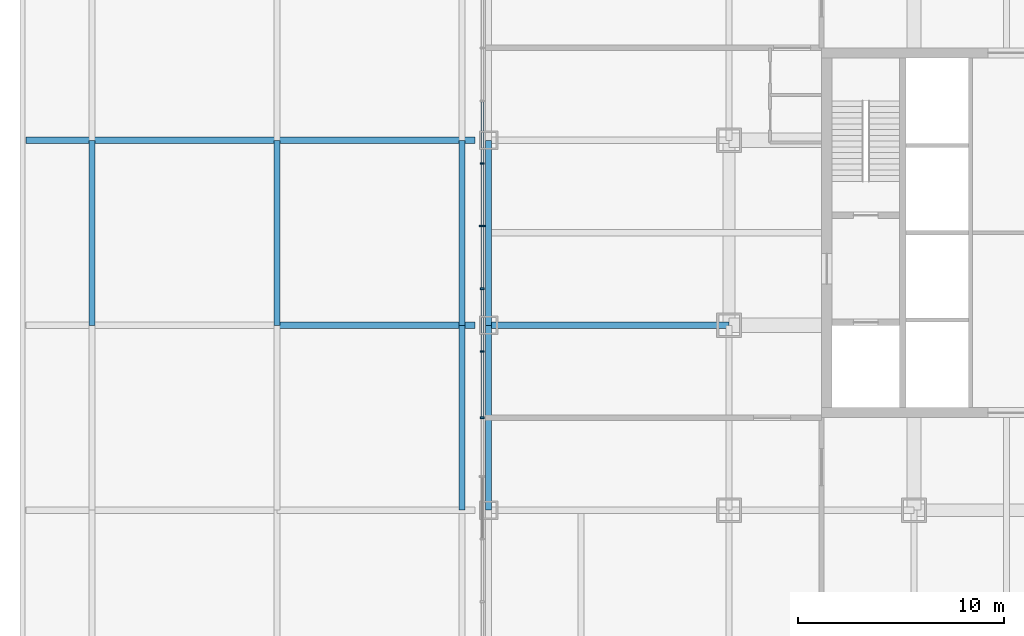
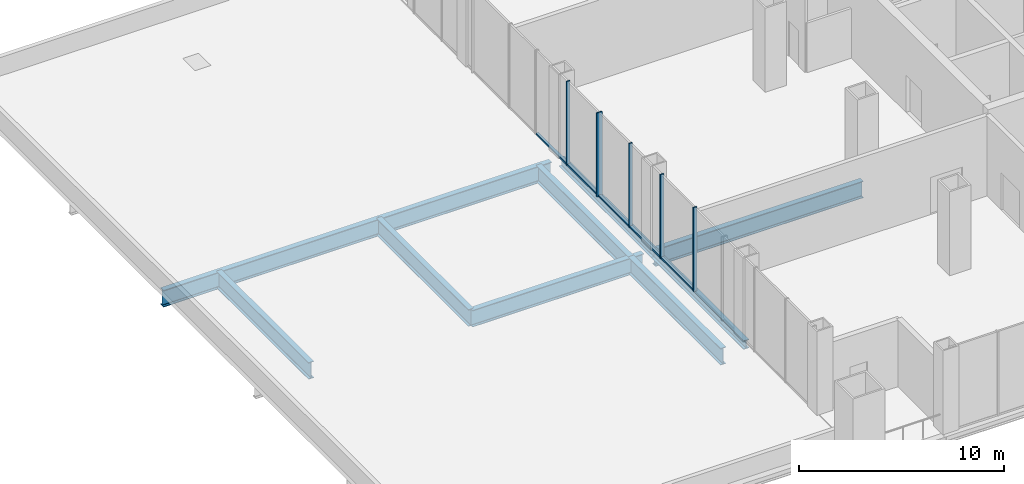
# One storey, part 3 of 16: 10 beams, 10 members, 1 element without a shape of its own.
"""IFC4 building model written with IfcOpenShell, lengths in metres."""

from ifc_helpers import new_model, si_unit, direction, frame, origin, origin_2d, place, context, subcontext, project, spatial, rectangle, i_section, extrude, material, layer, layer_set, material_profile, profile_set, type_object, element, aggregate, save


model = new_model("IFC4")

# Units and contexts
model_context = context("Model", 3, precision=1e-05, world=origin(), true_north=direction((0.0, 1.0)))
body_context = subcontext(model_context, "Body", "Model", "MODEL_VIEW")
ifc_project = project(units=[si_unit("LENGTHUNIT", "METRE"), si_unit("AREAUNIT", "SQUARE_METRE"), si_unit("VOLUMEUNIT", "CUBIC_METRE"), si_unit("PLANEANGLEUNIT", "RADIAN"), si_unit("MASSUNIT", "GRAM", prefix="KILO")], contexts=[model_context])

# Site, building, storey
site_placement = place(None, origin())
site = spatial("IfcSite", under=ifc_project, at=site_placement, CompositionType="ELEMENT")
building_placement = place(site_placement, origin())
building = spatial("IfcBuilding", under=site, at=building_placement, Name="Malebo Sky Hospital", CompositionType="ELEMENT")
storey_placement = place(building_placement, frame((0.0, 0.0, 26.0)))
storey = spatial("IfcBuildingStorey", under=building, at=storey_placement, Name="L05", CompositionType="ELEMENT", Elevation=26.0)

# Curtain wall, members
ifc_material_1 = material(Name="Anodised aluminium, natural silver", Category="aluminium")
ifc_layer = layer(ifc_material_1, 0.25)
ifc_layer_set = layer_set([ifc_layer], Name="PLANT LOUVRE SCREEN")
curtain_wall_type = type_object("IfcCurtainWallType", Name="PLANT LOUVRE SCREEN", PredefinedType="NOTDEFINED", material=ifc_layer_set)
curtain_wall_placement = place(storey_placement, origin())
curtain_wall = element("IfcCurtainWall", 1, at=curtain_wall_placement, inside=storey, type_object=curtain_wall_type, Name="PLANT curtain wall W", PredefinedType="NOTDEFINED")
ifc_material_profile_1 = material_profile(ifc_material_1, rectangle(XDim=0.14990234375, YDim=0.10009765625, at=origin_2d()), Name="ALUMINIUM TRANSOM 150x100")
ifc_profile_set_1 = profile_set([ifc_material_profile_1], Name="Anodised aluminium, natural silver")
member_type_1 = type_object("IfcMemberType", Name="ALUMINIUM TRANSOM 150x100", PredefinedType="USERDEFINED", material=ifc_profile_set_1)
member_1_placement = place(storey_placement, frame((34.5, 53.03759765625, 0.050048828125), z_axis=(0.0, 1.0, 0.0), x_axis=(-1.0, 0.0, 0.0)))
member_1 = element("IfcMember", 2, at=member_1_placement, type_object=member_type_1, Name="Transom 5", ObjectType="TRANSOM", PredefinedType="USERDEFINED", context=body_context, shape_type="SweptSolid", body=[
    extrude(rectangle(XDim=0.14990234375, YDim=0.10009765625, at=origin_2d()), origin(), (0.0, 0.0, 1.0), 3.15576171875),
])
member_2_placement = place(storey_placement, frame((34.5, 56.268310546875, 0.050048828125), z_axis=(0.0, 1.0, 0.0), x_axis=(-1.0, 0.0, 0.0)))
member_2 = element("IfcMember", 3, at=member_2_placement, type_object=member_type_1, Name="Transom 6", ObjectType="TRANSOM", PredefinedType="USERDEFINED", context=body_context, shape_type="SweptSolid", body=[
    extrude(rectangle(XDim=0.14990234375, YDim=0.10009765625, at=origin_2d()), origin(), (0.0, 0.0, 1.0), 2.97119140625),
])
member_3_placement = place(storey_placement, frame((34.5, 59.314453125, 0.050048828125), z_axis=(0.0, 1.0, 0.0), x_axis=(-1.0, 0.0, 0.0)))
member_3 = element("IfcMember", 4, at=member_3_placement, type_object=member_type_1, Name="Transom 7", ObjectType="TRANSOM", PredefinedType="USERDEFINED", context=body_context, shape_type="SweptSolid", body=[
    extrude(rectangle(XDim=0.14990234375, YDim=0.10009765625, at=origin_2d()), origin(), (0.0, 0.0, 1.0), 2.97119140625),
])
member_4_placement = place(storey_placement, frame((34.5, 62.360595703125, 0.050048828125), z_axis=(0.0, 1.0, 0.0), x_axis=(-1.0, 0.0, 0.0)))
member_4 = element("IfcMember", 5, at=member_4_placement, type_object=member_type_1, Name="Transom 8", ObjectType="TRANSOM", PredefinedType="USERDEFINED", context=body_context, shape_type="SweptSolid", body=[
    extrude(rectangle(XDim=0.14990234375, YDim=0.10009765625, at=origin_2d()), origin(), (0.0, 0.0, 1.0), 2.97119140625),
])
member_5_placement = place(storey_placement, frame((34.5, 65.40673828125, 0.050048828125), z_axis=(0.0, 1.0, 0.0), x_axis=(-1.0, 0.0, 0.0)))
member_5 = element("IfcMember", 6, at=member_5_placement, type_object=member_type_1, Name="Transom 9", ObjectType="TRANSOM", PredefinedType="USERDEFINED", context=body_context, shape_type="SweptSolid", body=[
    extrude(rectangle(XDim=0.14990234375, YDim=0.10009765625, at=origin_2d()), origin(), (0.0, 0.0, 1.0), 2.97119140625),
])
ifc_material_profile_2 = material_profile(ifc_material_1, rectangle(XDim=0.074951171875, YDim=0.199951171875, at=origin_2d()), Name="CW5 ALUMINIUM FIN MULLION 75x200")
ifc_profile_set_2 = profile_set([ifc_material_profile_2], Name="Anodised aluminium, natural silver")
member_type_2 = type_object("IfcMemberType", Name="CW5 ALUMINIUM FIN MULLION 75x200", PredefinedType="MULLION", material=ifc_profile_set_2)
member_6_placement = place(storey_placement, frame((34.5, 53.0, 0.0), z_axis=(0.0, 0.0, 1.0), x_axis=(0.0, 1.0, 0.0)))
member_6 = element("IfcMember", 7, at=member_6_placement, type_object=member_type_2, Name="Fin mullion 5", PredefinedType="MULLION", context=body_context, shape_type="SweptSolid", body=[
    extrude(rectangle(XDim=0.074951171875, YDim=0.199951171875, at=origin_2d()), origin(), (0.0, 0.0, 1.0), 5.0),
])
member_7_placement = place(storey_placement, frame((34.5, 56.230712890625, 0.0), z_axis=(0.0, 0.0, 1.0), x_axis=(0.0, 1.0, 0.0)))
member_7 = element("IfcMember", 8, at=member_7_placement, type_object=member_type_2, Name="Fin mullion 6", PredefinedType="MULLION", context=body_context, shape_type="SweptSolid", body=[
    extrude(rectangle(XDim=0.074951171875, YDim=0.199951171875, at=origin_2d()), origin(), (0.0, 0.0, 1.0), 5.0),
])
member_8_placement = place(storey_placement, frame((34.5, 59.27685546875, 0.0), z_axis=(0.0, 0.0, 1.0), x_axis=(0.0, 1.0, 0.0)))
member_8 = element("IfcMember", 9, at=member_8_placement, type_object=member_type_2, Name="Fin mullion 7", PredefinedType="MULLION", context=body_context, shape_type="SweptSolid", body=[
    extrude(rectangle(XDim=0.074951171875, YDim=0.199951171875, at=origin_2d()), origin(), (0.0, 0.0, 1.0), 5.0),
])
member_9_placement = place(storey_placement, frame((34.5, 65.369140625, 0.0), z_axis=(0.0, 0.0, 1.0), x_axis=(0.0, 1.0, 0.0)))
member_9 = element("IfcMember", 10, at=member_9_placement, type_object=member_type_2, Name="Fin mullion 9", PredefinedType="MULLION", context=body_context, shape_type="SweptSolid", body=[
    extrude(rectangle(XDim=0.074951171875, YDim=0.199951171875, at=origin_2d()), origin(), (0.0, 0.0, 1.0), 5.0),
])
ifc_material_profile_3 = material_profile(ifc_material_1, rectangle(XDim=0.074951171875, YDim=0.300048828125, at=origin_2d()), Name="CW5 ALUMINIUM FIN MULLION 75x300")
ifc_profile_set_3 = profile_set([ifc_material_profile_3], Name="Anodised aluminium, natural silver")
member_type_3 = type_object("IfcMemberType", Name="CW5 ALUMINIUM FIN MULLION 75x300", PredefinedType="MULLION", material=ifc_profile_set_3)
member_10_placement = place(storey_placement, frame((34.5, 62.322998046875, 0.0), z_axis=(0.0, 0.0, 1.0), x_axis=(0.0, 1.0, 0.0)))
member_10 = element("IfcMember", 11, at=member_10_placement, type_object=member_type_3, Name="Fin mullion 8", PredefinedType="MULLION", context=body_context, shape_type="SweptSolid", body=[
    extrude(rectangle(XDim=0.074951171875, YDim=0.300048828125, at=origin_2d()), origin(), (0.0, 0.0, 1.0), 5.0),
])
aggregate(curtain_wall, [member_6, member_7, member_8, member_10, member_9, member_1, member_2, member_3, member_4, member_5])

# Beams
ifc_material_2 = material(Name="Steel S355", Category="steel")
ifc_material_profile_4 = material_profile(ifc_material_2, i_section(OverallWidth=0.305908203125, OverallDepth=0.52392578125, WebThickness=0.02099609375, FlangeThickness=0.0400390625, FilletRadius=0.027099609375, at=origin_2d()), Name="HEM 500")
ifc_profile_set_4 = profile_set([ifc_material_profile_4], Name="Steel S355")
beam_type_1 = type_object("IfcBeamType", Name="EDGE BEAM HEM 500", PredefinedType="BEAM", material=ifc_profile_set_4)
for number, where, z_axis, x_axis, name in (
    (12, (34.800048828125, 48.5, -0.56201171875), (0.0, 1.0, 0.0), (-1.0, 0.0, 0.0), "Beam 001 L05"),
    (13, (34.800048828125, 57.5, -0.56201171875), (0.0, 1.0, 0.0), (-1.0, 0.0, 0.0), "Beam 002 L05"),
):
    element("IfcBeam", number, at=place(storey_placement, frame(where, z_axis=z_axis, x_axis=x_axis)), inside=storey, type_object=beam_type_1, Name=name, PredefinedType="BEAM", context=body_context, shape_type="SweptSolid", body=[
        extrude(i_section(OverallWidth=0.305908203125, OverallDepth=0.52392578125, WebThickness=0.02099609375, FlangeThickness=0.0400390625, FilletRadius=0.027099609375, at=origin_2d()), origin(), (0.0, 0.0, 1.0), 9.0),
    ])
ifc_material_profile_5 = material_profile(ifc_material_2, i_section(OverallWidth=0.300048828125, OverallDepth=1.0, WebThickness=0.01904296875, FlangeThickness=0.035888671875, FilletRadius=0.030029296875, at=origin_2d()), Name="HEB 1000")
ifc_profile_set_5 = profile_set([ifc_material_profile_5], Name="Steel S355")
beam_type_2 = type_object("IfcBeamType", Name="FLOOR BEAM HEB 1000", PredefinedType="BEAM", material=ifc_profile_set_5)
beam_1_placement = place(storey_placement, frame((34.800048828125, 57.5, -0.800048828125), z_axis=(1.0, 0.0, 0.0), x_axis=(0.0, 1.0, 0.0)))
element("IfcBeam", 14, at=beam_1_placement, inside=storey, type_object=beam_type_2, Name="Beam 046 L05", PredefinedType="BEAM", context=body_context, shape_type="SweptSolid", body=[
    extrude(i_section(OverallWidth=0.300048828125, OverallDepth=1.0, WebThickness=0.01904296875, FlangeThickness=0.035888671875, FilletRadius=0.030029296875, at=origin_2d()), origin(), (0.0, 0.0, 1.0), 11.699951171875),
])
for number, where, z_axis, x_axis, name in (
    (15, (15.5, 57.5, -0.800048828125), (0.0, 1.0, 0.0), (-1.0, 0.0, 0.0), "Beam W003 L05"),
    (16, (24.5, 57.5, -0.800048828125), (0.0, 1.0, 0.0), (-1.0, 0.0, 0.0), "Beam W008 L05"),
    (17, (33.5, 48.5, -0.800048828125), (0.0, 1.0, 0.0), (-1.0, 0.0, 0.0), "Beam W012 L05"),
    (18, (33.5, 57.5, -0.800048828125), (0.0, 1.0, 0.0), (-1.0, 0.0, 0.0), "Beam W013 L05"),
):
    element("IfcBeam", number, at=place(storey_placement, frame(where, z_axis=z_axis, x_axis=x_axis)), inside=storey, type_object=beam_type_2, Name=name, PredefinedType="BEAM", context=body_context, shape_type="SweptSolid", body=[
        extrude(i_section(OverallWidth=0.300048828125, OverallDepth=1.0, WebThickness=0.01904296875, FlangeThickness=0.035888671875, FilletRadius=0.030029296875, at=origin_2d()), origin(), (0.0, 0.0, 1.0), 9.0),
    ])
beam_2_placement = place(storey_placement, frame((24.5, 57.5, -0.800048828125), z_axis=(1.0, 0.0, 0.0), x_axis=(0.0, 1.0, 0.0)))
element("IfcBeam", 19, at=beam_2_placement, inside=storey, type_object=beam_type_2, Name="Beam W021 L05", PredefinedType="BEAM", context=body_context, shape_type="SweptSolid", body=[
    extrude(i_section(OverallWidth=0.300048828125, OverallDepth=1.0, WebThickness=0.01904296875, FlangeThickness=0.035888671875, FilletRadius=0.030029296875, at=origin_2d()), origin(), (0.0, 0.0, 1.0), 9.64990234375),
])
beam_3_placement = place(storey_placement, frame((12.300048828125, 66.5, -0.800048828125), z_axis=(1.0, 0.0, 0.0), x_axis=(0.0, 1.0, 0.0)))
element("IfcBeam", 20, at=beam_3_placement, inside=storey, type_object=beam_type_2, Name="Beam W022 L05", PredefinedType="BEAM", context=body_context, shape_type="SweptSolid", body=[
    extrude(i_section(OverallWidth=0.300048828125, OverallDepth=1.0, WebThickness=0.01904296875, FlangeThickness=0.035888671875, FilletRadius=0.030029296875, at=origin_2d()), origin(), (0.0, 0.0, 1.0), 12.199951171875),
])
beam_4_placement = place(storey_placement, frame((24.5, 66.5, -0.800048828125), z_axis=(1.0, 0.0, 0.0), x_axis=(0.0, 1.0, 0.0)))
element("IfcBeam", 21, at=beam_4_placement, inside=storey, type_object=beam_type_2, Name="Beam W023 L05", PredefinedType="BEAM", context=body_context, shape_type="SweptSolid", body=[
    extrude(i_section(OverallWidth=0.300048828125, OverallDepth=1.0, WebThickness=0.01904296875, FlangeThickness=0.035888671875, FilletRadius=0.030029296875, at=origin_2d()), origin(), (0.0, 0.0, 1.0), 9.64990234375),
])

save(model, "model.ifc")
